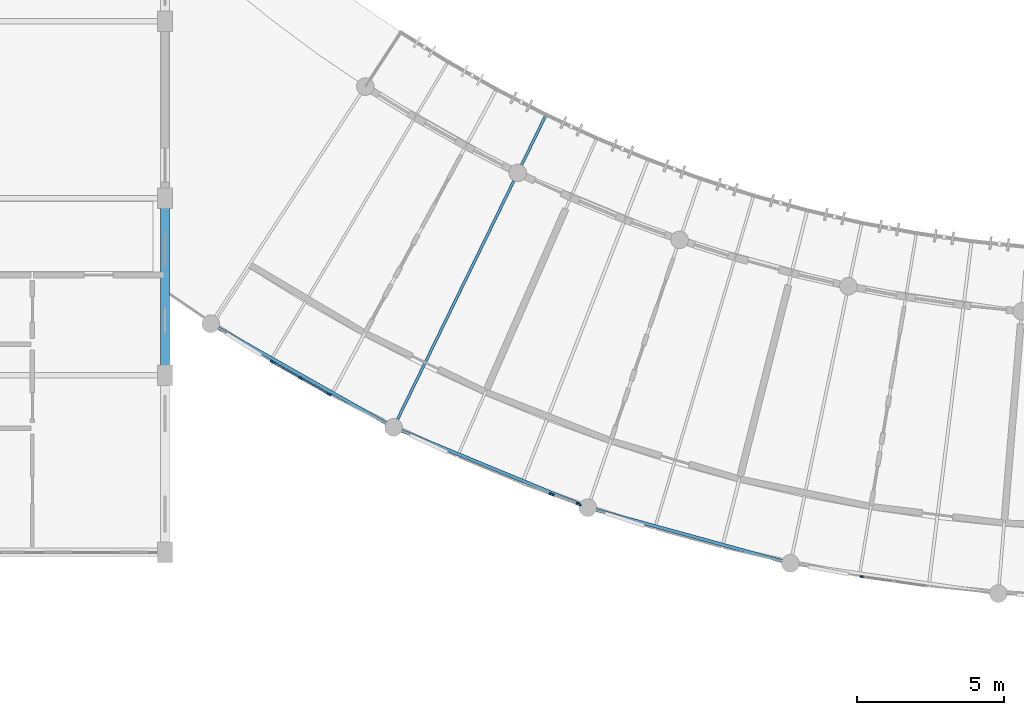
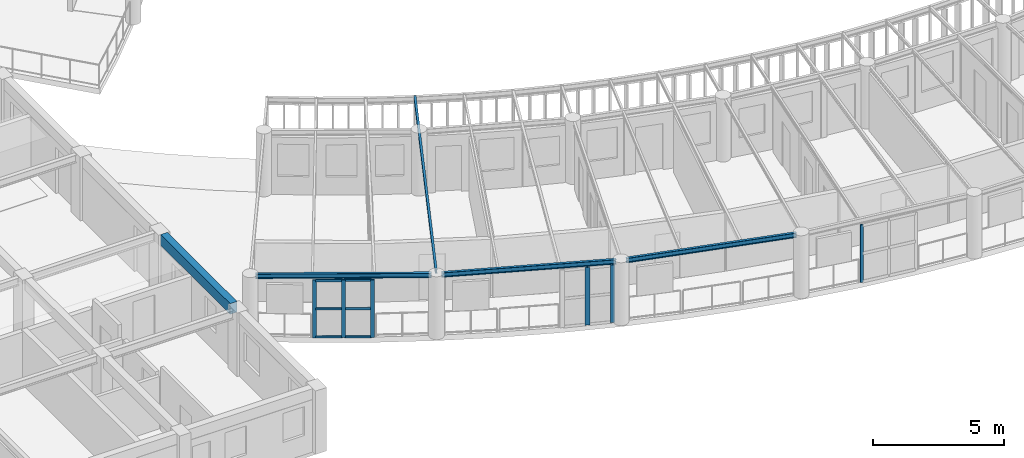
# One storey, part 4 of 101: 12 members, 5 beams, 3 elements without a shape of their own.
"""IFC4 building model written with IfcOpenShell, lengths in metres."""

import ifcopenshell
import ifcopenshell.guid

model = None  # the IFC model being written
_history = None  # IfcOwnerHistory: only IFC2X3 demands one
_inside = {}  # id of a spatial element -> (the spatial element, [elements in it])
_under = {}  # id of a project, library or spatial element -> (it, [spatial elements below it])
_declared = {}  # id of a project -> (the project, [libraries it declares])
_typed = {}  # id of a type object -> (the type object, [elements of that type])
_made_of = {}  # id of a material, layer set ... -> (it, [elements and type objects made of it])


def new_model(schema):
    """Start an empty IFC model of exactly this schema.

    Asked for "IFC4X3", IfcOpenShell would pick the latest addendum, in which some entities
    have other attributes; the version numbers below select the first issue.
    IFC2X3 requires an IfcOwnerHistory on every rooted entity: one is made here for all.
    """
    global model, _history
    if schema == "IFC4X3":
        model = ifcopenshell.file(schema_version=(4, 3, 0, 0))
    else:
        model = ifcopenshell.file(schema=schema)
    _inside.clear()
    _under.clear()
    _declared.clear()
    _typed.clear()
    _made_of.clear()
    _history = None
    if model.schema == "IFC2X3":
        org = make("IfcOrganization", Name="unknown")
        user = make(
            "IfcPersonAndOrganization",
            ThePerson=make("IfcPerson", FamilyName="unknown"),
            TheOrganization=org,
        )
        app = make(
            "IfcApplication",
            ApplicationDeveloper=org,
            Version="unknown",
            ApplicationFullName="unknown",
            ApplicationIdentifier="unknown",
        )
        _history = make(
            "IfcOwnerHistory",
            OwningUser=user,
            OwningApplication=app,
            ChangeAction="ADDED",
            CreationDate=0,
        )
    return model


def make(cls, **values):
    """One entity of the class cls with the attributes given. An attribute that is None is left unset."""
    return model.create_entity(
        cls, **{name: value for name, value in values.items() if value is not None}
    )


def rooted(cls, **values):
    """An entity with a GlobalId (a new one), such as an element, a storey or a relation."""
    return make(cls, GlobalId=ifcopenshell.guid.new(), OwnerHistory=_history, **values)


def si_unit(unit_type, name, prefix=None):
    """IfcSIUnit, for example si_unit("LENGTHUNIT", "METRE", prefix="MILLI")."""
    return make("IfcSIUnit", UnitType=unit_type, Prefix=prefix, Name=name)


def assignment(units):
    """IfcUnitAssignment: the units of a project."""
    return None if units is None else make("IfcUnitAssignment", Units=units)


def point(xyz):
    """IfcCartesianPoint."""
    return None if xyz is None else make("IfcCartesianPoint", Coordinates=xyz)


def direction(xyz):
    """IfcDirection."""
    return None if xyz is None else make("IfcDirection", DirectionRatios=xyz)


def frame(location, z_axis=None, x_axis=None):
    """IfcAxis2Placement3D, a coordinate frame: its origin and axes. An axis left out is left unset."""
    return make(
        "IfcAxis2Placement3D",
        Location=point(location),
        Axis=direction(z_axis),
        RefDirection=direction(x_axis),
    )


def frame_2d(location, x_axis=None):
    """IfcAxis2Placement2D, a coordinate frame in the plane: its origin and x axis."""
    return make(
        "IfcAxis2Placement2D", Location=point(location), RefDirection=direction(x_axis)
    )


def origin():
    """The frame at (0, 0, 0) with its axes left unset."""
    return frame((0.0, 0.0, 0.0))


def origin_2d():
    """The frame at (0, 0) in the plane with its x axis left unset."""
    return frame_2d((0.0, 0.0))


def place(relative_to, where):
    """IfcLocalPlacement: puts the frame where relative to a parent placement (None: the world)."""
    return make(
        "IfcLocalPlacement", PlacementRelTo=relative_to, RelativePlacement=where
    )


def context(
    kind, dimensions, precision=None, world=None, true_north=None, identifier=None
):
    """IfcGeometricRepresentationContext, for example the 3D "Model" context."""
    return make(
        "IfcGeometricRepresentationContext",
        ContextIdentifier=identifier,
        ContextType=kind,
        CoordinateSpaceDimension=dimensions,
        Precision=precision,
        WorldCoordinateSystem=world,
        TrueNorth=true_north,
    )


def subcontext(parent, identifier, kind, view, scale=None):
    """IfcGeometricRepresentationSubContext, for example "Body" below "Model"."""
    return make(
        "IfcGeometricRepresentationSubContext",
        ContextIdentifier=identifier,
        ContextType=kind,
        ParentContext=parent,
        TargetScale=scale,
        TargetView=view,
    )


def project(units=None, contexts=None):
    """IfcProject with its units and contexts."""
    return rooted(
        "IfcProject",
        Name="project",
        RepresentationContexts=contexts,
        UnitsInContext=assignment(units),
    )


def spatial(cls, under=None, at=None, **own):
    """A site, building, storey or space (cls), placed at a placement, below another one or the project."""
    s = rooted(cls, ObjectPlacement=at, **own)
    if under is not None:
        _under.setdefault(under.id(), (under, []))[1].append(s)
    return s


def profile(cls, at=None, kind="AREA", **sizes):
    """A parametric profile (cls). Its sizes go by their IFC names, for example OverallWidth=200.0."""
    return make(cls, ProfileType=kind, Position=at, **sizes)


def rectangle(**sizes):
    """IfcRectangleProfileDef."""
    return profile("IfcRectangleProfileDef", **sizes)


def i_section(**sizes):
    """IfcIShapeProfileDef."""
    return profile("IfcIShapeProfileDef", **sizes)


def extrude(swept, where, along, depth):
    """IfcExtrudedAreaSolid: the profile swept, set in the frame where, extruded along a direction by depth."""
    return make(
        "IfcExtrudedAreaSolid",
        SweptArea=swept,
        Position=where,
        ExtrudedDirection=direction(along),
        Depth=depth,
    )


def shape(context_of_items, identifier, shape_type, items):
    """IfcShapeRepresentation: the items that make up one representation, for example the "Body"."""
    return make(
        "IfcShapeRepresentation",
        ContextOfItems=context_of_items,
        RepresentationIdentifier=identifier,
        RepresentationType=shape_type,
        Items=items,
    )


def material(Name=None, Category=None):
    """IfcMaterial."""
    return make("IfcMaterial", Name=Name, Category=Category)


def layer(
    of_material, thickness, ventilated=None, Name=None, Category=None, Priority=None
):
    """IfcMaterialLayer: one layer of a wall or slab, of a material (None: an air gap)."""
    return make(
        "IfcMaterialLayer",
        Material=of_material,
        LayerThickness=thickness,
        IsVentilated=ventilated,
        Name=Name,
        Category=Category,
        Priority=Priority,
    )


def layer_set(layers, Name=None):
    """IfcMaterialLayerSet."""
    return make("IfcMaterialLayerSet", MaterialLayers=layers, LayerSetName=Name)


def material_profile(
    of_material, cross_section, Name=None, Category=None, Priority=None
):
    """IfcMaterialProfile: a cross section and its material."""
    return make(
        "IfcMaterialProfile",
        Name=Name,
        Material=of_material,
        Profile=cross_section,
        Priority=Priority,
        Category=Category,
    )


def profile_set(profiles, Name=None, composite=None):
    """IfcMaterialProfileSet."""
    return make(
        "IfcMaterialProfileSet",
        Name=Name,
        MaterialProfiles=profiles,
        CompositeProfile=composite,
    )


def made_of(thing, what):
    """Note that an element or type object is made of a material, layer set ...; save() writes the relation."""
    if what is not None:
        _made_of.setdefault(what.id(), (what, []))[1].append(thing)
    return thing


def type_object(cls, material=None, **own):
    """A type object (cls), such as IfcWallType, which elements share."""
    return made_of(rooted(cls, **own), material)


def element(
    cls,
    number,
    at=None,
    inside=None,
    cuts=None,
    type_object=None,
    material=None,
    context=None,
    identifier="Body",
    shape_type=None,
    held_by="IfcProductDefinitionShape",
    body=None,
    shapes=None,
    **own,
):
    """One element of the class cls, such as IfcWall. Its Tag is "e" and its number.

    at: its placement. inside: the storey or other place that contains it. cuts: it is an
    opening in that element (IfcRelVoidsElement). A single representation is given by context,
    identifier, shape_type and body (its items); several are given by shapes. held_by: the class
    of the entity that holds the representations. save() writes the other relations.
    """
    e = rooted(cls, Tag="e%d" % number, ObjectPlacement=at, **own)
    if body is not None:
        shapes = [shape(context, identifier, shape_type, body)]
    if shapes is not None:
        e.Representation = make(held_by, Representations=shapes)
    if inside is not None:
        _inside.setdefault(inside.id(), (inside, []))[1].append(e)
    if cuts is not None:
        rooted(
            "IfcRelVoidsElement", RelatingBuildingElement=cuts, RelatedOpeningElement=e
        )
    if type_object is not None:
        _typed.setdefault(type_object.id(), (type_object, []))[1].append(e)
    return made_of(e, material)


def aggregate(whole, parts):
    """IfcRelAggregates: a whole, such as a stair, and the parts it consists of."""
    return rooted("IfcRelAggregates", RelatingObject=whole, RelatedObjects=parts)


def save(model, path):
    """Write the relations noted so far, then the file.

    IfcRelAggregates (storeys below a building ...), IfcRelContainedInSpatialStructure (elements
    in a storey), IfcRelDefinesByType, IfcRelAssociatesMaterial and IfcRelDeclares: one each for
    every whole, place, type object, material and project.
    """
    for whole, parts in _under.values():
        aggregate(whole, parts)
    for where, things in _inside.values():
        rooted(
            "IfcRelContainedInSpatialStructure",
            RelatedElements=things,
            RelatingStructure=where,
        )
    for kind, things in _typed.values():
        rooted("IfcRelDefinesByType", RelatedObjects=things, RelatingType=kind)
    for what, things in _made_of.values():
        rooted("IfcRelAssociatesMaterial", RelatedObjects=things, RelatingMaterial=what)
    for by, libraries in _declared.values():
        rooted("IfcRelDeclares", RelatingContext=by, RelatedDefinitions=libraries)
    model.write(path)


model = new_model("IFC4")

# Units and contexts
model_context = context("Model", 3, precision=1e-05, world=origin(), true_north=direction((0.0, 1.0)))
body_context = subcontext(model_context, "Body", "Model", "MODEL_VIEW")
ifc_project = project(units=[si_unit("LENGTHUNIT", "METRE"), si_unit("AREAUNIT", "SQUARE_METRE"), si_unit("VOLUMEUNIT", "CUBIC_METRE"), si_unit("PLANEANGLEUNIT", "RADIAN"), si_unit("MASSUNIT", "GRAM", prefix="KILO"), si_unit("POWERUNIT", "WATT"), si_unit("THERMODYNAMICTEMPERATUREUNIT", "KELVIN")], contexts=[model_context])

# Site, building, storey
site_placement = place(None, origin())
site = spatial("IfcSite", under=ifc_project, at=site_placement, CompositionType="ELEMENT")
building_placement = place(site_placement, origin())
building = spatial("IfcBuilding", under=site, at=building_placement, Name="Ruvembo Vaulted Housing Court", CompositionType="ELEMENT")
storey_placement = place(building_placement, frame((0.0, 0.0, 17.300048828125)))
storey = spatial("IfcBuildingStorey", under=building, at=storey_placement, Name="L05", CompositionType="ELEMENT", Elevation=17.300048828125)

# Beams
ifc_material_1 = material(Name="Steel S355J2", Category="steel")
ifc_material_profile_1 = material_profile(ifc_material_1, i_section(OverallWidth=0.091064453125, OverallDepth=0.179931640625, WebThickness=0.00537109375, FlangeThickness=0.008056640625, FilletRadius=0.009033203125, at=origin_2d()), Name="IPE 180")
ifc_profile_set_1 = profile_set([ifc_material_profile_1], Name="Steel S355J2")
beam_type_1 = type_object("IfcBeamType", Name="BM-ST-IPE180", PredefinedType="JOIST", material=ifc_profile_set_1)
beam_1_placement = place(storey_placement, frame((43.8330078125, 10.400390625, 2.842041015625), z_axis=(0.438390187834, 0.898784759111, 0.0), x_axis=(-0.898784759111, 0.438390187834, 0.0)))
element("IfcBeam", 1, at=beam_1_placement, inside=storey, type_object=beam_type_1, Name="Scoop SC2 L05 Radial Steel Joist 3", PredefinedType="JOIST", context=body_context, shape_type="SweptSolid", body=[
    extrude(i_section(OverallWidth=0.091064453125, OverallDepth=0.179931640625, WebThickness=0.00537109375, FlangeThickness=0.008056640625, FilletRadius=0.009033203125, at=origin_2d()), origin(), (0.0, 0.0, 1.0), 11.64990234375),
])
ifc_material_profile_2 = material_profile(ifc_material_1, i_section(OverallWidth=0.110107421875, OverallDepth=0.219970703125, WebThickness=0.005859375, FlangeThickness=0.00927734375, FilletRadius=0.011962890625, at=origin_2d()), Name="IPE 220")
ifc_profile_set_2 = profile_set([ifc_material_profile_2], Name="Steel S355J2")
beam_type_2 = type_object("IfcBeamType", Name="BM-ST-IPE220", PredefinedType="SPANDREL", material=ifc_profile_set_2)
beam_2_placement = place(storey_placement, frame((37.717529296875, 13.648681640625, 2.823974609375), z_axis=(0.869968867389, -0.493106651521, 0.0), x_axis=(0.493106651521, 0.869968867389, 0.0)))
element("IfcBeam", 2, at=beam_2_placement, inside=storey, type_object=beam_type_2, Name="Scoop SC2 L05 Chord Girder B0", PredefinedType="SPANDREL", context=body_context, shape_type="SweptSolid", body=[
    extrude(i_section(OverallWidth=0.110107421875, OverallDepth=0.219970703125, WebThickness=0.005859375, FlangeThickness=0.00927734375, FilletRadius=0.011962890625, at=origin_2d()), origin(), (0.0, 0.0, 1.0), 6.743896484375),
])
for number, where, z_axis, x_axis, name in (
    (3, (43.92529296875, 10.156982421875, 2.823974609375), (0.924184769777, -0.381945691575, 0.0), (0.381945691575, 0.924184769777, 0.0), "Scoop SC2 L05 Chord Girder B3"),
    (4, (50.516845703125, 7.4580078125, 2.823974609375), (0.964271768647, -0.264914998046, 0.0), (0.264914998046, 0.964271768647, 0.0), "Scoop SC2 L05 Chord Girder B6"),
):
    element("IfcBeam", number, at=place(storey_placement, frame(where, z_axis=z_axis, x_axis=x_axis)), inside=storey, type_object=beam_type_2, Name=name, PredefinedType="SPANDREL", context=body_context, shape_type="SweptSolid", body=[
        extrude(i_section(OverallWidth=0.110107421875, OverallDepth=0.219970703125, WebThickness=0.005859375, FlangeThickness=0.00927734375, FilletRadius=0.011962890625, at=origin_2d()), origin(), (0.0, 0.0, 1.0), 6.744140625),
    ])

# Curtain wall, member
ifc_material_2 = material(Name="Anodised Aluminium and Solar-Control Glass", Category="aluminium")
ifc_layer_1 = layer(ifc_material_2, 0.139892578125, Name="Anodised Aluminium and Solar-Control Glass")
ifc_layer_set_1 = layer_set([ifc_layer_1], Name="Anodised Aluminium and Solar-Control Glass")
curtain_wall_type_1 = type_object("IfcCurtainWallType", Name="CW-SCOOP-PAN", PredefinedType="NOTDEFINED", material=ifc_layer_set_1)
curtain_wall_1_placement = place(storey_placement, origin())
curtain_wall_1 = element("IfcCurtainWall", 5, at=curtain_wall_1_placement, inside=storey, type_object=curtain_wall_type_1, Name="L05 Curtain Wall CW-L05-0055", PredefinedType="NOTDEFINED")
ifc_material_3 = material(Name="Anodised Aluminium 6063-T6", Category="aluminium")
ifc_material_profile_3 = material_profile(ifc_material_3, rectangle(XDim=0.054931640625, YDim=0.1201171875, at=origin_2d()), Name="ALU 55x120")
ifc_profile_set_3 = profile_set([ifc_material_profile_3], Name="Anodised Aluminium 6063-T6")
member_type_1 = type_object("IfcMemberType", Name="CW-MUL-55x120", PredefinedType="MULLION", material=ifc_profile_set_3)
member_1_placement = place(storey_placement, frame((59.614990234375, 5.171142578125, 0.0), z_axis=(0.0, 0.0, 1.0), x_axis=(0.143850661969, 0.989599407362, 0.0)))
member_1 = element("IfcMember", 6, at=member_1_placement, type_object=member_type_1, Name="CW10 mullion 1", PredefinedType="MULLION", context=body_context, shape_type="SweptSolid", body=[
    extrude(rectangle(XDim=0.054931640625, YDim=0.1201171875, at=origin_2d()), origin(), (0.0, 0.0, 1.0), 2.68994140625),
])
aggregate(curtain_wall_1, [member_1])

# Curtain wall, members
ifc_layer_2 = layer(ifc_material_2, 0.1201171875, Name="Anodised Aluminium and Solar-Control Glass")
ifc_layer_set_2 = layer_set([ifc_layer_2], Name="Anodised Aluminium and Solar-Control Glass")
curtain_wall_type_2 = type_object("IfcCurtainWallType", Name="CW-SCOOP-GAL", PredefinedType="NOTDEFINED", material=ifc_layer_set_2)
curtain_wall_2_placement = place(storey_placement, origin())
curtain_wall_2 = element("IfcCurtainWall", 7, at=curtain_wall_2_placement, inside=storey, type_object=curtain_wall_type_2, Name="L05 Curtain Wall CW-L05-0054", PredefinedType="NOTDEFINED")
ifc_material_profile_4 = material_profile(ifc_material_3, rectangle(XDim=0.06494140625, YDim=0.179931640625, at=origin_2d()), Name="ALU 65x180")
ifc_profile_set_4 = profile_set([ifc_material_profile_4], Name="Anodised Aluminium 6063-T6")
member_type_2 = type_object("IfcMemberType", Name="CW-MUL-65x180", PredefinedType="MULLION", material=ifc_profile_set_4)
member_2_placement = place(storey_placement, frame((49.1005859375, 7.95947265625, 0.0), z_axis=(0.0, 0.0, 1.0), x_axis=(0.343490217835, 0.939156254439, 0.0)))
member_2 = element("IfcMember", 8, at=member_2_placement, type_object=member_type_2, Name="CW6 mullion 2", PredefinedType="MULLION", context=body_context, shape_type="SweptSolid", body=[
    extrude(rectangle(XDim=0.06494140625, YDim=0.179931640625, at=origin_2d()), origin(), (0.0, 0.0, 1.0), 2.68994140625),
])
member_3_placement = place(storey_placement, frame((50.021484375, 7.62255859375, 0.0), z_axis=(0.0, 0.0, 1.0), x_axis=(0.343490217835, 0.939156254439, 0.0)))
member_3 = element("IfcMember", 9, at=member_3_placement, type_object=member_type_2, Name="CW6 mullion 3", PredefinedType="MULLION", context=body_context, shape_type="SweptSolid", body=[
    extrude(rectangle(XDim=0.06494140625, YDim=0.179931640625, at=origin_2d()), origin(), (0.0, 0.0, 1.0), 2.68994140625),
])
aggregate(curtain_wall_2, [member_2, member_3])

curtain_wall_3_placement = place(storey_placement, origin())
curtain_wall_3 = element("IfcCurtainWall", 10, at=curtain_wall_3_placement, inside=storey, type_object=curtain_wall_type_2, Name="L05 Curtain Wall CW-L05-0053", PredefinedType="NOTDEFINED")
ifc_material_profile_5 = material_profile(ifc_material_3, rectangle(XDim=0.06005859375, YDim=0.159912109375, at=origin_2d()), Name="ALU 60x160")
ifc_profile_set_5 = profile_set([ifc_material_profile_5], Name="Anodised Aluminium 6063-T6")
member_type_3 = type_object("IfcMemberType", Name="CW-MULLION-65x150", PredefinedType="MULLION", material=ifc_profile_set_5)
member_4_placement = place(storey_placement, frame((39.638916015625, 12.447021484375, 0.0), z_axis=(0.0, 0.0, 1.0), x_axis=(0.493079088202, 0.869984489964, 0.0)))
member_4 = element("IfcMember", 11, at=member_4_placement, type_object=member_type_3, Name="CW6 mullion 1", PredefinedType="MULLION", context=body_context, shape_type="SweptSolid", body=[
    extrude(rectangle(XDim=0.06005859375, YDim=0.159912109375, at=origin_2d()), origin(), (0.0, 0.0, 1.0), 2.68994140625),
])
member_5_placement = place(storey_placement, frame((40.602783203125, 11.900634765625, 0.0), z_axis=(0.0, 0.0, 1.0), x_axis=(0.493079088202, 0.869984489964, 0.0)))
member_5 = element("IfcMember", 12, at=member_5_placement, type_object=member_type_3, Name="CW6 mullion 2", PredefinedType="MULLION", context=body_context, shape_type="SweptSolid", body=[
    extrude(rectangle(XDim=0.06005859375, YDim=0.159912109375, at=origin_2d()), origin(), (0.0, 0.0, 1.0), 2.68994140625),
])
member_6_placement = place(storey_placement, frame((41.566650390625, 11.3544921875, 0.0), z_axis=(0.0, 0.0, 1.0), x_axis=(0.493079088202, 0.869984489964, 0.0)))
member_6 = element("IfcMember", 13, at=member_6_placement, type_object=member_type_3, Name="CW6 mullion 3", PredefinedType="MULLION", context=body_context, shape_type="SweptSolid", body=[
    extrude(rectangle(XDim=0.06005859375, YDim=0.159912109375, at=origin_2d()), origin(), (0.0, 0.0, 1.0), 2.68994140625),
])
ifc_material_profile_6 = material_profile(ifc_material_3, rectangle(XDim=0.06005859375, YDim=0.10009765625, at=origin_2d()), Name="ALU 60x100")
ifc_profile_set_6 = profile_set([ifc_material_profile_6], Name="Anodised Aluminium 6063-T6")
member_type_4 = type_object("IfcMemberType", Name="CW-TRN-60x100", PredefinedType="USERDEFINED", material=ifc_profile_set_6)
member_7_placement = place(storey_placement, frame((39.664794921875, 12.43212890625, 0.030029296875), z_axis=(0.870072141445, -0.492924404631, 0.0), x_axis=(0.492924404631, 0.870072141445, 0.0)))
member_7 = element("IfcMember", 14, at=member_7_placement, type_object=member_type_4, Name="CW6 transom 1.1", ObjectType="TRANSOM", PredefinedType="USERDEFINED", context=body_context, shape_type="SweptSolid", body=[
    extrude(rectangle(XDim=0.06005859375, YDim=0.10009765625, at=origin_2d()), origin(), (0.0, 0.0, 1.0), 1.048095703125),
])
member_8_placement = place(storey_placement, frame((39.664794921875, 12.43212890625, 1.344970703125), z_axis=(0.870072141445, -0.492924404631, 0.0), x_axis=(0.492924404631, 0.870072141445, 0.0)))
member_8 = element("IfcMember", 15, at=member_8_placement, type_object=member_type_4, Name="CW6 transom 1.2", ObjectType="TRANSOM", PredefinedType="USERDEFINED", context=body_context, shape_type="SweptSolid", body=[
    extrude(rectangle(XDim=0.06005859375, YDim=0.10009765625, at=origin_2d()), origin(), (0.0, 0.0, 1.0), 1.048095703125),
])
member_9_placement = place(storey_placement, frame((39.664794921875, 12.43212890625, 2.659912109375), z_axis=(0.870072141445, -0.492924404631, 0.0), x_axis=(0.492924404631, 0.870072141445, 0.0)))
member_9 = element("IfcMember", 16, at=member_9_placement, type_object=member_type_4, Name="CW6 transom 1.3", ObjectType="TRANSOM", PredefinedType="USERDEFINED", context=body_context, shape_type="SweptSolid", body=[
    extrude(rectangle(XDim=0.06005859375, YDim=0.10009765625, at=origin_2d()), origin(), (0.0, 0.0, 1.0), 1.048095703125),
])
member_10_placement = place(storey_placement, frame((40.62890625, 11.885986328125, 0.030029296875), z_axis=(0.869915574686, -0.49320066192, 0.0), x_axis=(0.49320066192, 0.869915574686, 0.0)))
member_10 = element("IfcMember", 17, at=member_10_placement, type_object=member_type_4, Name="CW6 transom 2.1", ObjectType="TRANSOM", PredefinedType="USERDEFINED", context=body_context, shape_type="SweptSolid", body=[
    extrude(rectangle(XDim=0.06005859375, YDim=0.10009765625, at=origin_2d()), origin(), (0.0, 0.0, 1.0), 1.0478515625),
])
member_11_placement = place(storey_placement, frame((40.62890625, 11.885986328125, 1.344970703125), z_axis=(0.869915574686, -0.49320066192, 0.0), x_axis=(0.49320066192, 0.869915574686, 0.0)))
member_11 = element("IfcMember", 18, at=member_11_placement, type_object=member_type_4, Name="CW6 transom 2.2", ObjectType="TRANSOM", PredefinedType="USERDEFINED", context=body_context, shape_type="SweptSolid", body=[
    extrude(rectangle(XDim=0.06005859375, YDim=0.10009765625, at=origin_2d()), origin(), (0.0, 0.0, 1.0), 1.0478515625),
])
member_12_placement = place(storey_placement, frame((40.62890625, 11.885986328125, 2.659912109375), z_axis=(0.869915574686, -0.49320066192, 0.0), x_axis=(0.49320066192, 0.869915574686, 0.0)))
member_12 = element("IfcMember", 19, at=member_12_placement, type_object=member_type_4, Name="CW6 transom 2.3", ObjectType="TRANSOM", PredefinedType="USERDEFINED", context=body_context, shape_type="SweptSolid", body=[
    extrude(rectangle(XDim=0.06005859375, YDim=0.10009765625, at=origin_2d()), origin(), (0.0, 0.0, 1.0), 1.0478515625),
])
aggregate(curtain_wall_3, [member_4, member_5, member_6, member_7, member_8, member_9, member_10, member_11, member_12])

# Beam
ifc_material_4 = material(Name="Concrete C35/45", Category="concrete")
ifc_material_profile_7 = material_profile(ifc_material_4, rectangle(XDim=0.300048828125, YDim=0.5, at=origin_2d()), Name="RC 300x500")
ifc_profile_set_7 = profile_set([ifc_material_profile_7], Name="Concrete C35/45")
beam_type_3 = type_object("IfcBeamType", Name="SP-RC-300x500", PredefinedType="SPANDREL", material=ifc_profile_set_7)
beam_3_placement = place(storey_placement, frame((36.0, 12.3349609375, 2.71484375), z_axis=(0.0, 1.0, 0.0), x_axis=(-1.0, 0.0, 0.0)))
element("IfcBeam", 20, at=beam_3_placement, inside=storey, type_object=beam_type_3, Name="L05 Grid Beam Y #2451", PredefinedType="SPANDREL", context=body_context, shape_type="SweptSolid", body=[
    extrude(rectangle(XDim=0.300048828125, YDim=0.5, at=origin_2d()), origin(), (0.0, 0.0, 1.0), 5.330078125),
])

save(model, "model.ifc")
